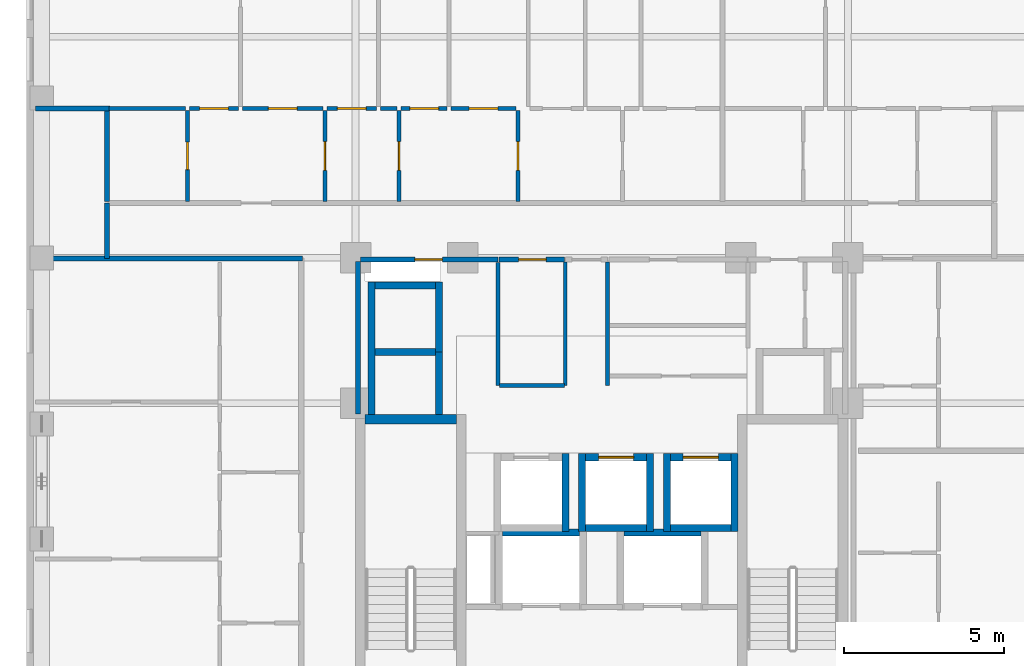
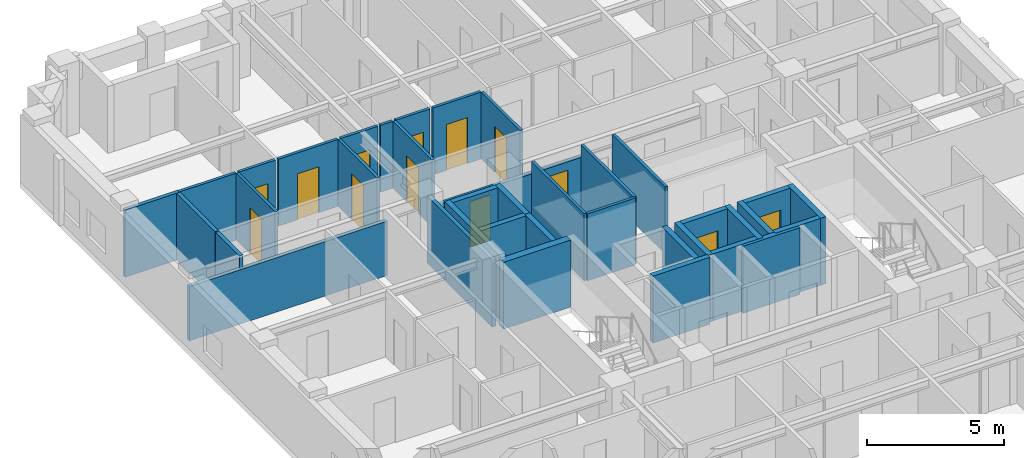
# One storey, part 5 of 11: 39 walls, 13 doors, 13 openings.
"""IFC4 building model written with IfcOpenShell, lengths in metres."""

from ifc_helpers import new_model, si_unit, derived_unit, direction, frame, frame_2d, origin, place, context, subcontext, project, spatial, rectangle, extrude, material, layer, layer_set, type_object, element, fill, save


model = new_model("IFC4")

# Units and contexts
model_context = context("Model", 3, precision=1e-05, world=origin(), true_north=direction((0.0, 1.0)))
body_context = subcontext(model_context, "Body", "Model", "MODEL_VIEW")
ifc_project = project(units=[si_unit("LENGTHUNIT", "METRE"), si_unit("AREAUNIT", "SQUARE_METRE"), si_unit("VOLUMEUNIT", "CUBIC_METRE"), si_unit("PLANEANGLEUNIT", "RADIAN"), si_unit("MASSUNIT", "GRAM", prefix="KILO"), derived_unit("THERMALTRANSMITTANCEUNIT", [(si_unit("MASSUNIT", "GRAM", prefix="KILO"), 1), (si_unit("TIMEUNIT", "SECOND"), -3), (si_unit("THERMODYNAMICTEMPERATUREUNIT", "KELVIN"), -1)])], contexts=[model_context])

# Site, building, storey
site_placement = place(None, origin())
site = spatial("IfcSite", under=ifc_project, at=site_placement, CompositionType="ELEMENT")
building_placement = place(site_placement, origin())
building = spatial("IfcBuilding", under=site, at=building_placement, Name="Korrvale Station Residences", CompositionType="ELEMENT")
storey_placement = place(building_placement, frame((0.0, 0.0, 134.14990234375)))
storey = spatial("IfcBuildingStorey", under=building, at=storey_placement, Name="L38", CompositionType="ELEMENT", Elevation=134.14990234375)

# Walls
ifc_material_1 = material(Name="Concrete C60/75", Category="concrete")
ifc_layer_1 = layer(ifc_material_1, 0.300048828125, Name="Concrete C60/75")
ifc_layer_set_1 = layer_set([ifc_layer_1], Name="Concrete C60/75")
wall_type_1 = type_object("IfcWallType", Name="WAL-CORE-300-C60", PredefinedType="SHEAR", material=ifc_layer_set_1)
wall_1_placement = place(storey_placement, frame((18.10009765625, 23.949951171875, 0.0), z_axis=(0.0, 0.0, 1.0), x_axis=(1.0, 0.0, 0.0)))
element("IfcWall", 1, at=wall_1_placement, inside=storey, type_object=wall_type_1, Name="L38 ST-1 Core Shear Wall North", PredefinedType="SHEAR", context=body_context, shape_type="SweptSolid", body=[
    extrude(rectangle(XDim=2.849853515625, YDim=0.300048828125, at=frame_2d((1.4248046875, 0.0))), origin(), (0.0, 0.0, 1.0), 2.989990234375),
])
ifc_material_2 = material(Name="Acoustic steel-stud gypsum board partition", Category="steel")
ifc_layer_2 = layer(ifc_material_2, 0.1201171875, Name="Acoustic steel-stud gypsum board partition")
ifc_layer_set_2 = layer_set([ifc_layer_2], Name="Acoustic steel-stud gypsum board partition")
wall_type_2 = type_object("IfcWallType", Name="WAL-PART-125", PredefinedType="PARTITIONING", material=ifc_layer_set_2)
for number, where, z_axis, x_axis, name in (
    (2, (24.360107421875, 25.0, 0.0), (0.0, 0.0, 1.0), (0.0, 1.0, 0.0), "L38 Core Partition CW-PSG-W"),
    (3, (25.679931640625, 25.0, 0.0), (0.0, 0.0, 1.0), (0.0, 1.0, 0.0), "L38 Core Partition CW-PSG-E"),
):
    element("IfcWall", number, at=place(storey_placement, frame(where, z_axis=z_axis, x_axis=x_axis)), inside=storey, type_object=wall_type_2, Name=name, PredefinedType="PARTITIONING", context=body_context, shape_type="SweptSolid", body=[
        extrude(rectangle(XDim=3.8701171875, YDim=0.1201171875, at=frame_2d((1.93505859375, 0.0))), origin(), (0.0, 0.0, 1.0), 2.989990234375),
    ])
wall_2_placement = place(storey_placement, frame((22.260009765625, 25.0, 0.0), z_axis=(0.0, 0.0, 1.0), x_axis=(0.0, 1.0, 0.0)))
element("IfcWall", 4, at=wall_2_placement, inside=storey, type_object=wall_type_2, Name="L38 Core Partition CW-FPLW-W", PredefinedType="PARTITIONING", context=body_context, shape_type="SweptSolid", body=[
    extrude(rectangle(XDim=3.860107421875, YDim=0.1201171875, at=frame_2d((1.93017578125, 0.0))), origin(), (0.0, 0.0, 1.0), 2.989990234375),
])
wall_3_placement = place(storey_placement, frame((22.300048828125, 25.0, 0.0), z_axis=(0.0, 0.0, 1.0), x_axis=(1.0, 0.0, 0.0)))
element("IfcWall", 5, at=wall_3_placement, inside=storey, type_object=wall_type_2, Name="L38 Core Partition CW-FPLW-S", PredefinedType="PARTITIONING", context=body_context, shape_type="SweptSolid", body=[
    extrude(rectangle(XDim=2.0400390625, YDim=0.1201171875, at=frame_2d((1.02001953125, 0.0))), origin(), (0.0, 0.0, 1.0), 2.989990234375),
])

# Wall, opening, door
wall_4_placement = place(storey_placement, frame((12.5400390625, 30.760009765625, 0.0), z_axis=(0.0, 0.0, 1.0), x_axis=(0.0, 1.0, 0.0)))
wall_4 = element("IfcWall", 6, at=wall_4_placement, inside=storey, type_object=wall_type_2, Name="L38 Suite Partition U04-V01", PredefinedType="PARTITIONING", context=body_context, shape_type="SweptSolid", body=[
    extrude(rectangle(XDim=2.85009765625, YDim=0.1201171875, at=frame_2d((1.425048828125, 0.0))), origin(), (0.0, 0.0, 1.0), 2.989990234375),
])
opening_1_placement = place(wall_4_placement, frame((0.9951171875, 0.0, 0.0)))
opening_1 = element("IfcOpeningElement", 7, at=opening_1_placement, cuts=wall_4, Name="Opening DB-860", PredefinedType="OPENING", context=body_context, shape_type="SweptSolid", body=[
    extrude(rectangle(XDim=0.860107421875, YDim=2.050048828125, at=frame_2d((0.43017578125, 1.02490234375))), frame((0.0, 0.070068359375, 0.0), z_axis=(0.0, -1.0, 0.0), x_axis=(1.0, 0.0, 0.0)), (0.0, 0.0, 1.0), 0.14013671875),
])
ifc_material_3 = material(Name="Moisture-resistant solid-core bathroom door", Category="timber")
door_type_1 = type_object("IfcDoorType", Name="DR-BATH-860", OperationType="NOTDEFINED", PredefinedType="DOOR", material=ifc_material_3)
door_1_placement = place(opening_1_placement, origin())
door_1 = element("IfcDoor", 8, at=door_1_placement, inside=storey, type_object=door_type_1, Name="L38 Apartment 2BR L38-U04 Bathroom Door", OperationType="SINGLE_SWING_RIGHT", OverallHeight=2.050048828125, OverallWidth=0.860107421875, PredefinedType="DOOR", context=body_context, shape_type="SweptSolid", body=[
    extrude(rectangle(XDim=0.860107421875, YDim=2.050048828125, at=frame_2d((0.43017578125, 1.02490234375))), frame((0.0, 0.02490234375, 0.0), z_axis=(0.0, -1.0, 0.0), x_axis=(1.0, 0.0, 0.0)), (0.0, 0.0, 1.0), 0.050048828125),
])
fill(opening_1, door_1)

# Wall
wall_5_placement = place(storey_placement, frame((10.080078125, 33.669921875, 0.0), z_axis=(0.0, 0.0, 1.0), x_axis=(1.0, 0.0, 0.0)))
element("IfcWall", 9, at=wall_5_placement, inside=storey, type_object=wall_type_2, Name="L38 Suite Partition U04-H06", PredefinedType="PARTITIONING", context=body_context, shape_type="SweptSolid", body=[
    extrude(rectangle(XDim=2.39990234375, YDim=0.1201171875, at=frame_2d((1.199951171875, 0.0))), origin(), (0.0, 0.0, 1.0), 2.989990234375),
])

# Wall, opening, door
wall_6_placement = place(storey_placement, frame((16.840087890625, 30.760009765625, 0.0), z_axis=(0.0, 0.0, 1.0), x_axis=(0.0, 1.0, 0.0)))
wall_6 = element("IfcWall", 10, at=wall_6_placement, inside=storey, type_object=wall_type_2, Name="L38 Suite Partition U04-V12", PredefinedType="PARTITIONING", context=body_context, shape_type="SweptSolid", body=[
    extrude(rectangle(XDim=2.85009765625, YDim=0.1201171875, at=frame_2d((1.425048828125, 0.0))), origin(), (0.0, 0.0, 1.0), 2.989990234375),
])
opening_2_placement = place(wall_6_placement, frame((0.97509765625, 0.0, 0.0)))
opening_2 = element("IfcOpeningElement", 11, at=opening_2_placement, cuts=wall_6, Name="Opening DI-900", PredefinedType="OPENING", context=body_context, shape_type="SweptSolid", body=[
    extrude(rectangle(XDim=0.89990234375, YDim=2.050048828125, at=frame_2d((0.449951171875, 1.02490234375))), frame((0.0, 0.070068359375, 0.0), z_axis=(0.0, -1.0, 0.0), x_axis=(1.0, 0.0, 0.0)), (0.0, 0.0, 1.0), 0.14013671875),
])
ifc_material_4 = material(Name="Painted solid-core timber interior room door", Category="wood")
door_type_2 = type_object("IfcDoorType", Name="DR-INT-900", OperationType="NOTDEFINED", PredefinedType="DOOR", material=ifc_material_4)
door_2_placement = place(opening_2_placement, origin())
door_2 = element("IfcDoor", 12, at=door_2_placement, inside=storey, type_object=door_type_2, Name="L38 Apartment 2BR L38-U04 Kitchen Door", OperationType="SINGLE_SWING_LEFT", OverallHeight=2.050048828125, OverallWidth=0.89990234375, PredefinedType="DOOR", context=body_context, shape_type="SweptSolid", body=[
    extrude(rectangle(XDim=0.89990234375, YDim=2.050048828125, at=frame_2d((0.449951171875, 1.02490234375))), frame((0.0, 0.02490234375, 0.0), z_axis=(0.0, -1.0, 0.0), x_axis=(1.0, 0.0, 0.0)), (0.0, 0.0, 1.0), 0.050048828125),
])
fill(opening_2, door_2)

wall_7_placement = place(storey_placement, frame((12.60009765625, 33.669921875, 0.0), z_axis=(0.0, 0.0, 1.0), x_axis=(1.0, 0.0, 0.0)))
wall_7 = element("IfcWall", 13, at=wall_7_placement, inside=storey, type_object=wall_type_2, Name="L38 Suite Partition U04-H16", PredefinedType="PARTITIONING", context=body_context, shape_type="SweptSolid", body=[
    extrude(rectangle(XDim=1.539794921875, YDim=0.1201171875, at=frame_2d((0.77001953125, 0.0))), origin(), (0.0, 0.0, 1.0), 2.989990234375),
])
opening_3_placement = place(wall_7_placement, frame((0.320068359375, 0.0, 0.0)))
opening_3 = element("IfcOpeningElement", 14, at=opening_3_placement, cuts=wall_7, Name="Opening DI-900", PredefinedType="OPENING", context=body_context, shape_type="SweptSolid", body=[
    extrude(rectangle(XDim=0.89990234375, YDim=2.050048828125, at=frame_2d((0.449951171875, 1.02490234375))), frame((0.0, 0.070068359375, 0.0), z_axis=(0.0, -1.0, 0.0), x_axis=(1.0, 0.0, 0.0)), (0.0, 0.0, 1.0), 0.14013671875),
])
door_3_placement = place(opening_3_placement, origin())
door_3 = element("IfcDoor", 15, at=door_3_placement, inside=storey, type_object=door_type_2, Name="L38 Apartment 2BR L38-U04 Kitchen Door", OperationType="SINGLE_SWING_RIGHT", OverallHeight=2.050048828125, OverallWidth=0.89990234375, PredefinedType="DOOR", context=body_context, shape_type="SweptSolid", body=[
    extrude(rectangle(XDim=0.89990234375, YDim=2.050048828125, at=frame_2d((0.449951171875, 1.02490234375))), frame((0.0, 0.02490234375, 0.0), z_axis=(0.0, -1.0, 0.0), x_axis=(1.0, 0.0, 0.0)), (0.0, 0.0, 1.0), 0.050048828125),
])
fill(opening_3, door_3)

wall_8_placement = place(storey_placement, frame((14.260009765625, 33.669921875, 0.0), z_axis=(0.0, 0.0, 1.0), x_axis=(1.0, 0.0, 0.0)))
wall_8 = element("IfcWall", 16, at=wall_8_placement, inside=storey, type_object=wall_type_2, Name="L38 Suite Partition U04-H17", PredefinedType="PARTITIONING", context=body_context, shape_type="SweptSolid", body=[
    extrude(rectangle(XDim=2.52001953125, YDim=0.1201171875, at=frame_2d((1.260009765625, 0.0))), origin(), (0.0, 0.0, 1.0), 2.989990234375),
])
opening_4_placement = place(wall_8_placement, frame((0.81005859375, 0.0, 0.0)))
opening_4 = element("IfcOpeningElement", 17, at=opening_4_placement, cuts=wall_8, Name="Opening DI-900", PredefinedType="OPENING", context=body_context, shape_type="SweptSolid", body=[
    extrude(rectangle(XDim=0.89990234375, YDim=2.050048828125, at=frame_2d((0.449951171875, 1.02490234375))), frame((0.0, 0.070068359375, 0.0), z_axis=(0.0, -1.0, 0.0), x_axis=(1.0, 0.0, 0.0)), (0.0, 0.0, 1.0), 0.14013671875),
])
door_4_placement = place(opening_4_placement, origin())
door_4 = element("IfcDoor", 18, at=door_4_placement, inside=storey, type_object=door_type_2, Name="L38 Apartment 2BR L38-U04 Kitchen Door", OperationType="SINGLE_SWING_LEFT", OverallHeight=2.050048828125, OverallWidth=0.89990234375, PredefinedType="DOOR", context=body_context, shape_type="SweptSolid", body=[
    extrude(rectangle(XDim=0.89990234375, YDim=2.050048828125, at=frame_2d((0.449951171875, 1.02490234375))), frame((0.0, 0.02490234375, 0.0), z_axis=(0.0, -1.0, 0.0), x_axis=(1.0, 0.0, 0.0)), (0.0, 0.0, 1.0), 0.050048828125),
])
fill(opening_4, door_4)

wall_9_placement = place(storey_placement, frame((19.159912109375, 30.760009765625, 0.0), z_axis=(0.0, 0.0, 1.0), x_axis=(0.0, 1.0, 0.0)))
wall_9 = element("IfcWall", 19, at=wall_9_placement, inside=storey, type_object=wall_type_2, Name="L38 Suite Partition U04-V23", PredefinedType="PARTITIONING", context=body_context, shape_type="SweptSolid", body=[
    extrude(rectangle(XDim=2.85009765625, YDim=0.1201171875, at=frame_2d((1.425048828125, 0.0))), origin(), (0.0, 0.0, 1.0), 2.989990234375),
])
opening_5_placement = place(wall_9_placement, frame((0.97509765625, 0.0, 0.0)))
opening_5 = element("IfcOpeningElement", 20, at=opening_5_placement, cuts=wall_9, Name="Opening DI-900", PredefinedType="OPENING", context=body_context, shape_type="SweptSolid", body=[
    extrude(rectangle(XDim=0.89990234375, YDim=2.050048828125, at=frame_2d((0.449951171875, 1.02490234375))), frame((0.0, 0.070068359375, 0.0), z_axis=(0.0, -1.0, 0.0), x_axis=(1.0, 0.0, 0.0)), (0.0, 0.0, 1.0), 0.14013671875),
])
door_5_placement = place(opening_5_placement, origin())
door_5 = element("IfcDoor", 21, at=door_5_placement, inside=storey, type_object=door_type_2, Name="L38 Apartment 2BR L38-U04 Wardrobe Storage Room Door", OperationType="SINGLE_SWING_RIGHT", OverallHeight=2.050048828125, OverallWidth=0.89990234375, PredefinedType="DOOR", context=body_context, shape_type="SweptSolid", body=[
    extrude(rectangle(XDim=0.89990234375, YDim=2.050048828125, at=frame_2d((0.449951171875, 1.02490234375))), frame((0.0, 0.02490234375, 0.0), z_axis=(0.0, -1.0, 0.0), x_axis=(1.0, 0.0, 0.0)), (0.0, 0.0, 1.0), 0.050048828125),
])
fill(opening_5, door_5)

wall_10_placement = place(storey_placement, frame((16.89990234375, 33.669921875, 0.0), z_axis=(0.0, 0.0, 1.0), x_axis=(1.0, 0.0, 0.0)))
wall_10 = element("IfcWall", 22, at=wall_10_placement, inside=storey, type_object=wall_type_2, Name="L38 Suite Partition U04-H27", PredefinedType="PARTITIONING", context=body_context, shape_type="SweptSolid", body=[
    extrude(rectangle(XDim=1.56005859375, YDim=0.1201171875, at=frame_2d((0.780029296875, 0.0))), origin(), (0.0, 0.0, 1.0), 2.989990234375),
])
opening_6_placement = place(wall_10_placement, frame((0.330078125, 0.0, 0.0)))
opening_6 = element("IfcOpeningElement", 23, at=opening_6_placement, cuts=wall_10, Name="Opening DI-900", PredefinedType="OPENING", context=body_context, shape_type="SweptSolid", body=[
    extrude(rectangle(XDim=0.89990234375, YDim=2.050048828125, at=frame_2d((0.449951171875, 1.02490234375))), frame((0.0, 0.070068359375, 0.0), z_axis=(0.0, -1.0, 0.0), x_axis=(1.0, 0.0, 0.0)), (0.0, 0.0, 1.0), 0.14013671875),
])
door_6_placement = place(opening_6_placement, origin())
door_6 = element("IfcDoor", 24, at=door_6_placement, inside=storey, type_object=door_type_2, Name="L38 Apartment 2BR L38-U04 Wardrobe Storage Room Door", OperationType="SINGLE_SWING_LEFT", OverallHeight=2.050048828125, OverallWidth=0.89990234375, PredefinedType="DOOR", context=body_context, shape_type="SweptSolid", body=[
    extrude(rectangle(XDim=0.89990234375, YDim=2.050048828125, at=frame_2d((0.449951171875, 1.02490234375))), frame((0.0, 0.02490234375, 0.0), z_axis=(0.0, -1.0, 0.0), x_axis=(1.0, 0.0, 0.0)), (0.0, 0.0, 1.0), 0.050048828125),
])
fill(opening_6, door_6)

# Wall
wall_11_placement = place(storey_placement, frame((18.580078125, 33.669921875, 0.0), z_axis=(0.0, 0.0, 1.0), x_axis=(1.0, 0.0, 0.0)))
element("IfcWall", 25, at=wall_11_placement, inside=storey, type_object=wall_type_2, Name="L38 Suite Partition U04-H28", PredefinedType="PARTITIONING", context=body_context, shape_type="SweptSolid", body=[
    extrude(rectangle(XDim=0.52001953125, YDim=0.1201171875, at=frame_2d((0.260009765625, 0.0))), origin(), (0.0, 0.0, 1.0), 2.989990234375),
])

# Wall, opening, door
wall_12_placement = place(storey_placement, frame((22.8798828125, 30.760009765625, 0.0), z_axis=(0.0, 0.0, 1.0), x_axis=(0.0, 1.0, 0.0)))
wall_12 = element("IfcWall", 26, at=wall_12_placement, inside=storey, type_object=wall_type_2, Name="L38 Suite Partition U04-V34", PredefinedType="PARTITIONING", context=body_context, shape_type="SweptSolid", body=[
    extrude(rectangle(XDim=2.85009765625, YDim=0.1201171875, at=frame_2d((1.425048828125, 0.0))), origin(), (0.0, 0.0, 1.0), 2.989990234375),
])
opening_7_placement = place(wall_12_placement, frame((0.97509765625, 0.0, 0.0)))
opening_7 = element("IfcOpeningElement", 27, at=opening_7_placement, cuts=wall_12, Name="Opening DI-900", PredefinedType="OPENING", context=body_context, shape_type="SweptSolid", body=[
    extrude(rectangle(XDim=0.89990234375, YDim=2.050048828125, at=frame_2d((0.449951171875, 1.02490234375))), frame((0.0, 0.070068359375, 0.0), z_axis=(0.0, -1.0, 0.0), x_axis=(1.0, 0.0, 0.0)), (0.0, 0.0, 1.0), 0.14013671875),
])
door_7_placement = place(opening_7_placement, origin())
door_7 = element("IfcDoor", 28, at=door_7_placement, inside=storey, type_object=door_type_2, Name="L38 Apartment 2BR L38-U04 Utility and Laundry Room Door", OperationType="SINGLE_SWING_RIGHT", OverallHeight=2.050048828125, OverallWidth=0.89990234375, PredefinedType="DOOR", context=body_context, shape_type="SweptSolid", body=[
    extrude(rectangle(XDim=0.89990234375, YDim=2.050048828125, at=frame_2d((0.449951171875, 1.02490234375))), frame((0.0, 0.02490234375, 0.0), z_axis=(0.0, -1.0, 0.0), x_axis=(1.0, 0.0, 0.0)), (0.0, 0.0, 1.0), 0.050048828125),
])
fill(opening_7, door_7)

wall_13_placement = place(storey_placement, frame((19.219970703125, 33.669921875, 0.0), z_axis=(0.0, 0.0, 1.0), x_axis=(1.0, 0.0, 0.0)))
wall_13 = element("IfcWall", 29, at=wall_13_placement, inside=storey, type_object=wall_type_2, Name="L38 Suite Partition U04-H38", PredefinedType="PARTITIONING", context=body_context, shape_type="SweptSolid", body=[
    extrude(rectangle(XDim=1.447021484375, YDim=0.1201171875, at=frame_2d((0.7236328125, 0.0))), origin(), (0.0, 0.0, 1.0), 2.989990234375),
])
opening_8_placement = place(wall_13_placement, frame((0.27392578125, 0.0, 0.0)))
opening_8 = element("IfcOpeningElement", 30, at=opening_8_placement, cuts=wall_13, Name="Opening DI-900", PredefinedType="OPENING", context=body_context, shape_type="SweptSolid", body=[
    extrude(rectangle(XDim=0.89990234375, YDim=2.050048828125, at=frame_2d((0.449951171875, 1.02490234375))), frame((0.0, 0.070068359375, 0.0), z_axis=(0.0, -1.0, 0.0), x_axis=(1.0, 0.0, 0.0)), (0.0, 0.0, 1.0), 0.14013671875),
])
door_8_placement = place(opening_8_placement, origin())
door_8 = element("IfcDoor", 31, at=door_8_placement, inside=storey, type_object=door_type_2, Name="L38 Apartment 2BR L38-U04 Utility and Laundry Room Door", OperationType="SINGLE_SWING_LEFT", OverallHeight=2.050048828125, OverallWidth=0.89990234375, PredefinedType="DOOR", context=body_context, shape_type="SweptSolid", body=[
    extrude(rectangle(XDim=0.89990234375, YDim=2.050048828125, at=frame_2d((0.449951171875, 1.02490234375))), frame((0.0, 0.02490234375, 0.0), z_axis=(0.0, -1.0, 0.0), x_axis=(1.0, 0.0, 0.0)), (0.0, 0.0, 1.0), 0.050048828125),
])
fill(opening_8, door_8)

wall_14_placement = place(storey_placement, frame((20.787109375, 33.669921875, 0.0), z_axis=(0.0, 0.0, 1.0), x_axis=(1.0, 0.0, 0.0)))
wall_14 = element("IfcWall", 32, at=wall_14_placement, inside=storey, type_object=wall_type_2, Name="L38 Suite Partition U04-H39", PredefinedType="PARTITIONING", context=body_context, shape_type="SweptSolid", body=[
    extrude(rectangle(XDim=2.032958984375, YDim=0.1201171875, at=frame_2d((1.0166015625, 0.0))), origin(), (0.0, 0.0, 1.0), 2.989990234375),
])
opening_9_placement = place(wall_14_placement, frame((0.56689453125, 0.0, 0.0)))
opening_9 = element("IfcOpeningElement", 33, at=opening_9_placement, cuts=wall_14, Name="Opening DI-900", PredefinedType="OPENING", context=body_context, shape_type="SweptSolid", body=[
    extrude(rectangle(XDim=0.89990234375, YDim=2.050048828125, at=frame_2d((0.449951171875, 1.02490234375))), frame((0.0, 0.070068359375, 0.0), z_axis=(0.0, -1.0, 0.0), x_axis=(1.0, 0.0, 0.0)), (0.0, 0.0, 1.0), 0.14013671875),
])
door_9_placement = place(opening_9_placement, origin())
door_9 = element("IfcDoor", 34, at=door_9_placement, inside=storey, type_object=door_type_2, Name="L38 Apartment 2BR L38-U04 Utility and Laundry Room Door", OperationType="SINGLE_SWING_RIGHT", OverallHeight=2.050048828125, OverallWidth=0.89990234375, PredefinedType="DOOR", context=body_context, shape_type="SweptSolid", body=[
    extrude(rectangle(XDim=0.89990234375, YDim=2.050048828125, at=frame_2d((0.449951171875, 1.02490234375))), frame((0.0, 0.02490234375, 0.0), z_axis=(0.0, -1.0, 0.0), x_axis=(1.0, 0.0, 0.0)), (0.0, 0.0, 1.0), 0.050048828125),
])
fill(opening_9, door_9)

# Wall
ifc_material_5 = material(Name="Fire-rated twin-stud gypsum and mineral wool shaftwall assembly", Category="gypsum")
ifc_layer_3 = layer(ifc_material_5, 0.159912109375, Name="Fire-rated twin-stud gypsum and mineral wool shaftwall assembly")
ifc_layer_set_3 = layer_set([ifc_layer_3], Name="Fire-rated twin-stud gypsum and mineral wool shaftwall assembly")
wall_type_3 = type_object("IfcWallType", Name="WAL-PART-200", PredefinedType="PARTITIONING", material=ifc_layer_set_3)
wall_15_placement = place(storey_placement, frame((17.8798828125, 24.1201171875, 0.0), z_axis=(0.0, 0.0, 1.0), x_axis=(0.0, 1.0, 0.0)))
element("IfcWall", 35, at=wall_15_placement, inside=storey, type_object=wall_type_3, Name="L38 Core Partition CW-W-N", PredefinedType="PARTITIONING", context=body_context, shape_type="SweptSolid", body=[
    extrude(rectangle(XDim=4.759765625, YDim=0.159912109375, at=frame_2d((2.3798828125, 0.0))), origin(), (0.0, 0.0, 1.0), 2.989990234375),
])

# Wall, opening, door
wall_16_placement = place(storey_placement, frame((17.9599609375, 28.949951171875, 0.0), z_axis=(0.0, 0.0, 1.0), x_axis=(1.0, 0.0, 0.0)))
wall_16 = element("IfcWall", 36, at=wall_16_placement, inside=storey, type_object=wall_type_3, Name="L38 Core Partition CW-NW", PredefinedType="PARTITIONING", context=body_context, shape_type="SweptSolid", body=[
    extrude(rectangle(XDim=4.2900390625, YDim=0.159912109375, at=frame_2d((2.14501953125, 0.0))), origin(), (0.0, 0.0, 1.0), 2.426025390625),
])
opening_10_placement = place(wall_16_placement, frame((1.695068359375, 0.0, 0.0)))
opening_10 = element("IfcOpeningElement", 37, at=opening_10_placement, cuts=wall_16, Name="Opening DB-860", PredefinedType="OPENING", context=body_context, shape_type="SweptSolid", body=[
    extrude(rectangle(XDim=0.860107421875, YDim=2.050048828125, at=frame_2d((0.43017578125, 1.02490234375))), frame((0.0, 0.08984375, 0.0), z_axis=(0.0, -1.0, 0.0), x_axis=(1.0, 0.0, 0.0)), (0.0, 0.0, 1.0), 0.179931640625),
])
door_10_placement = place(opening_10_placement, origin())
door_10 = element("IfcDoor", 38, at=door_10_placement, inside=storey, type_object=door_type_1, Name="L38 Electrical Riser Access Door", OperationType="SINGLE_SWING_RIGHT", OverallHeight=2.050048828125, OverallWidth=0.860107421875, PredefinedType="DOOR", context=body_context, shape_type="SweptSolid", body=[
    extrude(rectangle(XDim=0.860107421875, YDim=2.050048828125, at=frame_2d((0.43017578125, 1.02490234375))), frame((0.0, 0.02490234375, 0.0), z_axis=(0.0, -1.0, 0.0), x_axis=(1.0, 0.0, 0.0)), (0.0, 0.0, 1.0), 0.050048828125),
])
fill(opening_10, door_10)

wall_17_placement = place(storey_placement, frame((22.280029296875, 28.949951171875, 0.0), z_axis=(0.0, 0.0, 1.0), x_axis=(1.0, 0.0, 0.0)))
wall_17 = element("IfcWall", 39, at=wall_17_placement, inside=storey, type_object=wall_type_3, Name="L38 Core Partition CW-FPLW-N", PredefinedType="PARTITIONING", context=body_context, shape_type="SweptSolid", body=[
    extrude(rectangle(XDim=2.06005859375, YDim=0.159912109375, at=frame_2d((1.030029296875, 0.0))), origin(), (0.0, 0.0, 1.0), 2.426025390625),
])
opening_11_placement = place(wall_17_placement, frame((0.6201171875, 0.0, 0.0)))
opening_11 = element("IfcOpeningElement", 40, at=opening_11_placement, cuts=wall_17, Name="Opening DB-860", PredefinedType="OPENING", context=body_context, shape_type="SweptSolid", body=[
    extrude(rectangle(XDim=0.860107421875, YDim=2.050048828125, at=frame_2d((0.43017578125, 1.02490234375))), frame((0.0, 0.08984375, 0.0), z_axis=(0.0, -1.0, 0.0), x_axis=(1.0, 0.0, 0.0)), (0.0, 0.0, 1.0), 0.179931640625),
])
door_11_placement = place(opening_11_placement, origin())
door_11 = element("IfcDoor", 41, at=door_11_placement, inside=storey, type_object=door_type_1, Name="L38 Resident Parcel Room Door", OperationType="SINGLE_SWING_LEFT", OverallHeight=2.050048828125, OverallWidth=0.860107421875, PredefinedType="DOOR", context=body_context, shape_type="SweptSolid", body=[
    extrude(rectangle(XDim=0.860107421875, YDim=2.050048828125, at=frame_2d((0.43017578125, 1.02490234375))), frame((0.0, 0.02490234375, 0.0), z_axis=(0.0, -1.0, 0.0), x_axis=(1.0, 0.0, 0.0)), (0.0, 0.0, 1.0), 0.050048828125),
])
fill(opening_11, door_11)

# Walls
wall_18_placement = place(storey_placement, frame((10.02001953125, 28.97998046875, 0.0), z_axis=(0.0, 0.0, 1.0), x_axis=(0.0, 1.0, 0.0)))
element("IfcWall", 42, at=wall_18_placement, inside=storey, type_object=wall_type_3, Name="L38 Corridor North West Cap", PredefinedType="PARTITIONING", context=body_context, shape_type="SweptSolid", body=[
    extrude(rectangle(XDim=1.739990234375, YDim=0.159912109375, at=frame_2d((0.8701171875, 0.0))), origin(), (0.0, 0.0, 1.0), 2.989990234375),
])
wall_19_placement = place(storey_placement, frame((7.780029296875, 28.97998046875, 0.0), z_axis=(0.0, 0.0, 1.0), x_axis=(1.0, 0.0, 0.0)))
element("IfcWall", 43, at=wall_19_placement, inside=storey, type_object=wall_type_3, Name="L38 West Wing North Corridor Wall", PredefinedType="PARTITIONING", context=body_context, shape_type="SweptSolid", body=[
    extrude(rectangle(XDim=8.35986328125, YDim=0.159912109375, at=frame_2d((4.179931640625, 0.0))), origin(), (0.0, 0.0, 1.0), 2.426025390625),
])
wall_20_placement = place(storey_placement, frame((7.780029296875, 33.669921875, 0.0), z_axis=(0.0, 0.0, 1.0), x_axis=(1.0, 0.0, 0.0)))
element("IfcWall", 44, at=wall_20_placement, inside=storey, type_object=wall_type_3, Name="L38 Corner Step Wall U04-L", PredefinedType="PARTITIONING", context=body_context, shape_type="SweptSolid", body=[
    extrude(rectangle(XDim=2.340087890625, YDim=0.159912109375, at=frame_2d((1.169921875, 0.0))), origin(), (0.0, 0.0, 1.0), 2.989990234375),
])
wall_21_placement = place(storey_placement, frame((10.02001953125, 30.760009765625, 0.0), z_axis=(0.0, 0.0, 1.0), x_axis=(0.0, 1.0, 0.0)))
element("IfcWall", 45, at=wall_21_placement, inside=storey, type_object=wall_type_3, Name="L38 Corner Step Cheek U04-L", PredefinedType="PARTITIONING", context=body_context, shape_type="SweptSolid", body=[
    extrude(rectangle(XDim=2.909912109375, YDim=0.159912109375, at=frame_2d((1.455078125, 0.0))), origin(), (0.0, 0.0, 1.0), 2.989990234375),
])
ifc_layer_4 = layer(ifc_material_1, 0.219970703125, Name="Concrete C60/75")
ifc_layer_set_4 = layer_set([ifc_layer_4], Name="Concrete C60/75")
wall_type_4 = type_object("IfcWallType", Name="WAL-SHAFT-220-C60", PredefinedType="SHEAR", material=ifc_layer_set_4)
wall_22_placement = place(storey_placement, frame((24.360107421875, 20.429931640625, 0.0), z_axis=(0.0, 0.0, 1.0), x_axis=(0.0, 1.0, 0.0)))
element("IfcWall", 46, at=wall_22_placement, inside=storey, type_object=wall_type_4, Name="L38 Elevator PM-1 Hoistway Wall East", PredefinedType="SHEAR", context=body_context, shape_type="SweptSolid", body=[
    extrude(rectangle(XDim=2.440185546875, YDim=0.219970703125, at=frame_2d((1.22021484375, 0.0))), origin(), (0.0, 0.0, 1.0), 2.989990234375),
])
wall_23_placement = place(storey_placement, frame((25.0, 20.5400390625, 0.0), z_axis=(0.0, 0.0, 1.0), x_axis=(1.0, 0.0, 0.0)))
element("IfcWall", 47, at=wall_23_placement, inside=storey, type_object=wall_type_4, Name="L38 Elevator PM-2 Hoistway Wall South", PredefinedType="SHEAR", context=body_context, shape_type="SweptSolid", body=[
    extrude(rectangle(XDim=1.89990234375, YDim=0.219970703125, at=frame_2d((0.949951171875, 0.0))), origin(), (0.0, 0.0, 1.0), 2.989990234375),
])

# Wall, opening, door
wall_24_placement = place(storey_placement, frame((25.0, 22.760009765625, 0.0), z_axis=(0.0, 0.0, 1.0), x_axis=(1.0, 0.0, 0.0)))
wall_24 = element("IfcWall", 48, at=wall_24_placement, inside=storey, type_object=wall_type_4, Name="L38 Elevator PM-2 Hoistway Wall North", PredefinedType="SHEAR", context=body_context, shape_type="SweptSolid", body=[
    extrude(rectangle(XDim=1.89990234375, YDim=0.219970703125, at=frame_2d((0.949951171875, 0.0))), origin(), (0.0, 0.0, 1.0), 2.989990234375),
])
opening_12_placement = place(wall_24_placement, frame((0.39990234375, 0.0, 0.0)))
opening_12 = element("IfcOpeningElement", 49, at=opening_12_placement, cuts=wall_24, Name="Opening LD-1100", PredefinedType="OPENING", context=body_context, shape_type="SweptSolid", body=[
    extrude(rectangle(XDim=1.10009765625, YDim=2.14990234375, at=frame_2d((0.550048828125, 1.074951171875))), frame((0.0, 0.1201171875, 0.0), z_axis=(0.0, -1.0, 0.0), x_axis=(1.0, 0.0, 0.0)), (0.0, 0.0, 1.0), 0.239990234375),
])
ifc_material_6 = material(Name="Brushed stainless-steel elevator landing sliding door", Category="steel")
door_type_3 = type_object("IfcDoorType", Name="DR-LIFT-1100", OperationType="SLIDING_TO_LEFT", PredefinedType="DOOR", material=ifc_material_6)
door_12_placement = place(opening_12_placement, origin())
door_12 = element("IfcDoor", 50, at=door_12_placement, inside=storey, type_object=door_type_3, Name="L38 Elevator PM-2 Sliding Landing Door", OperationType="SLIDING_TO_LEFT", OverallHeight=2.14990234375, OverallWidth=1.10009765625, PredefinedType="DOOR", context=body_context, shape_type="SweptSolid", body=[
    extrude(rectangle(XDim=1.10009765625, YDim=2.14990234375, at=frame_2d((0.550048828125, 1.074951171875))), frame((0.0, 0.02490234375, 0.0), z_axis=(0.0, -1.0, 0.0), x_axis=(1.0, 0.0, 0.0)), (0.0, 0.0, 1.0), 0.050048828125),
])
fill(opening_12, door_12)

# Walls
for number, where, z_axis, x_axis, name in (
    (51, (24.889892578125, 20.429931640625, 0.0), (0.0, 0.0, 1.0), (0.0, 1.0, 0.0), "L38 Elevator PM-2 Hoistway Wall West"),
    (52, (27.010009765625, 20.429931640625, 0.0), (0.0, 0.0, 1.0), (0.0, 1.0, 0.0), "L38 Elevator PM-2 Hoistway Wall East"),
):
    element("IfcWall", number, at=place(storey_placement, frame(where, z_axis=z_axis, x_axis=x_axis)), inside=storey, type_object=wall_type_4, Name=name, PredefinedType="SHEAR", context=body_context, shape_type="SweptSolid", body=[
        extrude(rectangle(XDim=2.440185546875, YDim=0.219970703125, at=frame_2d((1.22021484375, 0.0))), origin(), (0.0, 0.0, 1.0), 2.989990234375),
    ])
wall_25_placement = place(storey_placement, frame((27.64990234375, 20.5400390625, 0.0), z_axis=(0.0, 0.0, 1.0), x_axis=(1.0, 0.0, 0.0)))
element("IfcWall", 53, at=wall_25_placement, inside=storey, type_object=wall_type_4, Name="L38 Elevator PM-3 Hoistway Wall South", PredefinedType="SHEAR", context=body_context, shape_type="SweptSolid", body=[
    extrude(rectangle(XDim=1.900146484375, YDim=0.219970703125, at=frame_2d((0.9501953125, 0.0))), origin(), (0.0, 0.0, 1.0), 2.989990234375),
])

# Wall, opening, door
wall_26_placement = place(storey_placement, frame((27.64990234375, 22.760009765625, 0.0), z_axis=(0.0, 0.0, 1.0), x_axis=(1.0, 0.0, 0.0)))
wall_26 = element("IfcWall", 54, at=wall_26_placement, inside=storey, type_object=wall_type_4, Name="L38 Elevator PM-3 Hoistway Wall North", PredefinedType="SHEAR", context=body_context, shape_type="SweptSolid", body=[
    extrude(rectangle(XDim=1.900146484375, YDim=0.219970703125, at=frame_2d((0.9501953125, 0.0))), origin(), (0.0, 0.0, 1.0), 2.989990234375),
])
opening_13_placement = place(wall_26_placement, frame((0.39990234375, 0.0, 0.0)))
opening_13 = element("IfcOpeningElement", 55, at=opening_13_placement, cuts=wall_26, Name="Opening LD-1100", PredefinedType="OPENING", context=body_context, shape_type="SweptSolid", body=[
    extrude(rectangle(XDim=1.10009765625, YDim=2.14990234375, at=frame_2d((0.550048828125, 1.074951171875))), frame((0.0, 0.1201171875, 0.0), z_axis=(0.0, -1.0, 0.0), x_axis=(1.0, 0.0, 0.0)), (0.0, 0.0, 1.0), 0.239990234375),
])
door_13_placement = place(opening_13_placement, origin())
door_13 = element("IfcDoor", 56, at=door_13_placement, inside=storey, type_object=door_type_3, Name="L38 Elevator PM-3 Sliding Landing Door", OperationType="SLIDING_TO_LEFT", OverallHeight=2.14990234375, OverallWidth=1.10009765625, PredefinedType="DOOR", context=body_context, shape_type="SweptSolid", body=[
    extrude(rectangle(XDim=1.10009765625, YDim=2.14990234375, at=frame_2d((0.550048828125, 1.074951171875))), frame((0.0, 0.02490234375, 0.0), z_axis=(0.0, -1.0, 0.0), x_axis=(1.0, 0.0, 0.0)), (0.0, 0.0, 1.0), 0.050048828125),
])
fill(opening_13, door_13)

# Walls
for number, where, z_axis, x_axis, name in (
    (57, (27.5400390625, 20.429931640625, 0.0), (0.0, 0.0, 1.0), (0.0, 1.0, 0.0), "L38 Elevator PM-3 Hoistway Wall West"),
    (58, (29.659912109375, 20.429931640625, 0.0), (0.0, 0.0, 1.0), (0.0, 1.0, 0.0), "L38 Elevator PM-3 Hoistway Wall East"),
):
    element("IfcWall", number, at=place(storey_placement, frame(where, z_axis=z_axis, x_axis=x_axis)), inside=storey, type_object=wall_type_4, Name=name, PredefinedType="SHEAR", context=body_context, shape_type="SweptSolid", body=[
        extrude(rectangle(XDim=2.440185546875, YDim=0.219970703125, at=frame_2d((1.22021484375, 0.0))), origin(), (0.0, 0.0, 1.0), 2.989990234375),
    ])
wall_27_placement = place(storey_placement, frame((18.2900390625, 24.10009765625, 0.0), z_axis=(0.0, 0.0, 1.0), x_axis=(0.0, 1.0, 0.0)))
element("IfcWall", 59, at=wall_27_placement, inside=storey, type_object=wall_type_4, Name="L38 Elevator PH-1 Hoistway Wall West", PredefinedType="SHEAR", context=body_context, shape_type="SweptSolid", body=[
    extrude(rectangle(XDim=4.139892578125, YDim=0.219970703125, at=frame_2d((2.06982421875, 0.0))), origin(), (0.0, 0.0, 1.0), 2.989990234375),
])
wall_28_placement = place(storey_placement, frame((20.409912109375, 24.10009765625, 0.0), z_axis=(0.0, 0.0, 1.0), x_axis=(0.0, 1.0, 0.0)))
element("IfcWall", 60, at=wall_28_placement, inside=storey, type_object=wall_type_4, Name="L38 Elevator PH-1 Hoistway Wall East", PredefinedType="SHEAR", context=body_context, shape_type="SweptSolid", body=[
    extrude(rectangle(XDim=1.9599609375, YDim=0.219970703125, at=frame_2d((0.97998046875, 0.0))), origin(), (0.0, 0.0, 1.0), 2.989990234375),
])
for number, where, z_axis, x_axis, name in (
    (61, (18.39990234375, 26.06005859375, 0.0), (0.0, 0.0, 1.0), (1.0, 0.0, 0.0), "L38 Elevator PH-2 Hoistway Wall South"),
    (62, (18.39990234375, 28.1298828125, 0.0), (0.0, 0.0, 1.0), (1.0, 0.0, 0.0), "L38 Elevator PH-2 Hoistway Wall North"),
):
    element("IfcWall", number, at=place(storey_placement, frame(where, z_axis=z_axis, x_axis=x_axis)), inside=storey, type_object=wall_type_4, Name=name, PredefinedType="SHEAR", context=body_context, shape_type="SweptSolid", body=[
        extrude(rectangle(XDim=1.900146484375, YDim=0.219970703125, at=frame_2d((0.9501953125, 0.0))), origin(), (0.0, 0.0, 1.0), 2.989990234375),
    ])
wall_29_placement = place(storey_placement, frame((20.409912109375, 26.06005859375, 0.0), z_axis=(0.0, 0.0, 1.0), x_axis=(0.0, 1.0, 0.0)))
element("IfcWall", 63, at=wall_29_placement, inside=storey, type_object=wall_type_4, Name="L38 Elevator PH-2 Hoistway Wall East", PredefinedType="SHEAR", context=body_context, shape_type="SweptSolid", body=[
    extrude(rectangle(XDim=2.179931640625, YDim=0.219970703125, at=frame_2d((1.08984375, 0.0))), origin(), (0.0, 0.0, 1.0), 2.989990234375),
])
for number, where, z_axis, x_axis, name in (
    (64, (22.39990234375, 20.409912109375, 0.0), (0.0, 0.0, 1.0), (1.0, 0.0, 0.0), "L38 Elevator FFL-1 Hoistway Wall North"),
    (65, (26.199951171875, 20.409912109375, 0.0), (0.0, 0.0, 1.0), (1.0, 0.0, 0.0), "L38 Elevator FFL-2 Hoistway Wall North"),
):
    element("IfcWall", number, at=place(storey_placement, frame(where, z_axis=z_axis, x_axis=x_axis)), inside=storey, type_object=wall_type_4, Name=name, PredefinedType="SHEAR", context=body_context, shape_type="SweptSolid", body=[
        extrude(rectangle(XDim=2.400146484375, YDim=0.219970703125, at=frame_2d((1.2001953125, 0.0))), origin(), (0.0, 0.0, 1.0), 2.989990234375),
    ])

save(model, "model.ifc")
